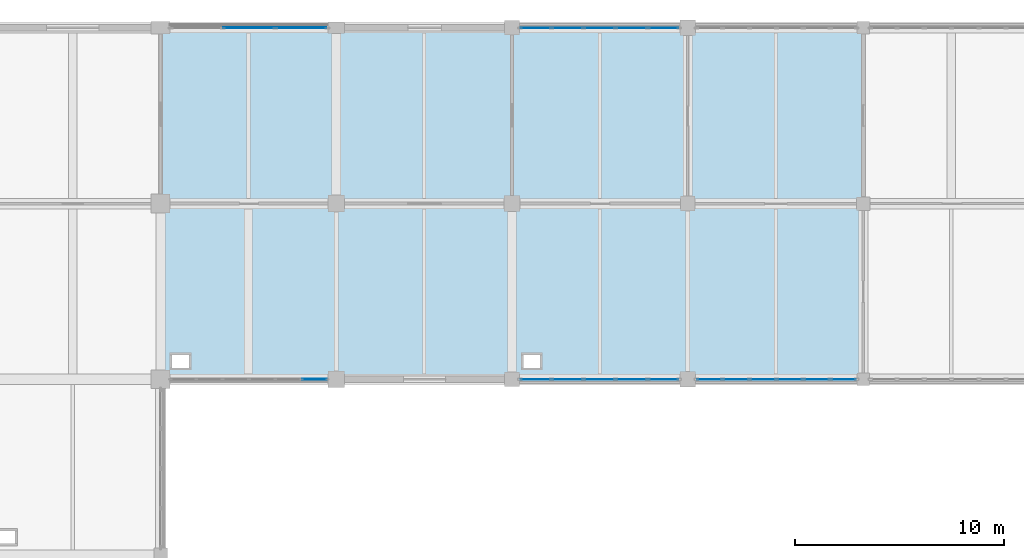
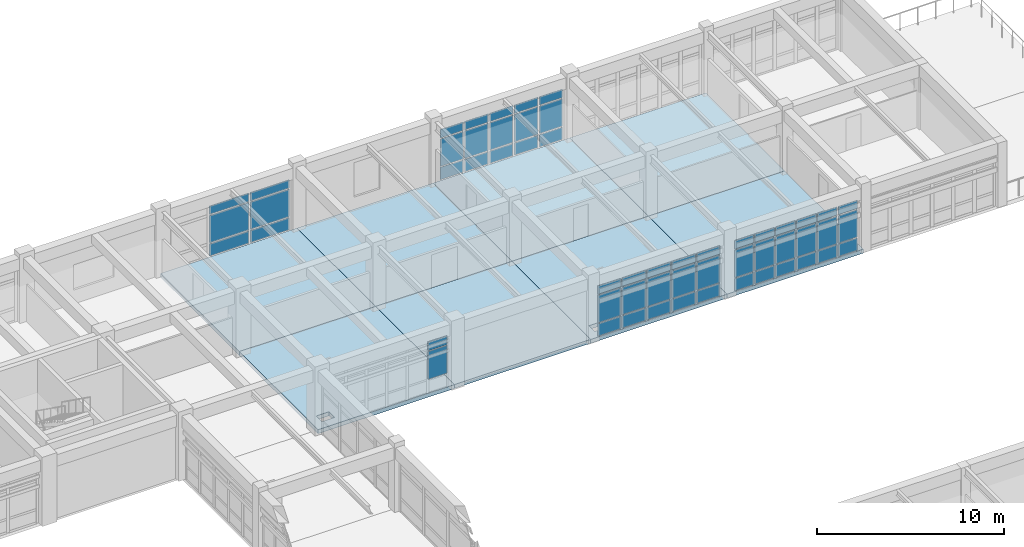
# One storey, part 76 of 99: 56 plates, 8 slabs, 5 elements without a shape of their own.
"""IFC4 building model written with IfcOpenShell, lengths in metres."""

from ifc_helpers import new_model, si_unit, direction, frame, origin, origin_2d, place, context, subcontext, project, spatial, polyline, rectangle, outline, extrude, material, layer, layer_set, type_object, element, aggregate, save


model = new_model("IFC4")

# Units and contexts
model_context = context("Model", 3, precision=1e-05, world=origin(), true_north=direction((0.0, 1.0)))
body_context = subcontext(model_context, "Body", "Model", "MODEL_VIEW")
ifc_project = project(units=[si_unit("LENGTHUNIT", "METRE"), si_unit("AREAUNIT", "SQUARE_METRE"), si_unit("VOLUMEUNIT", "CUBIC_METRE"), si_unit("PLANEANGLEUNIT", "RADIAN"), si_unit("MASSUNIT", "GRAM", prefix="KILO")], contexts=[model_context])

# Site, building, storey
site_placement = place(None, origin())
site = spatial("IfcSite", under=ifc_project, at=site_placement, CompositionType="ELEMENT")
building_placement = place(site_placement, origin())
building = spatial("IfcBuilding", under=site, at=building_placement, Name="Porcellanite Civic Hall", CompositionType="ELEMENT")
storey_placement = place(building_placement, frame((0.0, 0.0, 5.760009765625)))
storey = spatial("IfcBuildingStorey", under=building, at=storey_placement, Name="L01", CompositionType="ELEMENT", Elevation=5.760009765625)

# Curtain wall, plates
ifc_material_1 = material(Name="Anodised aluminium and solar laminated glass", Category="aluminium")
ifc_layer_1 = layer(ifc_material_1, 0.179931640625)
ifc_layer_set_1 = layer_set([ifc_layer_1], Name="Anodised aluminium and solar laminated glass")
curtain_wall_type_1 = type_object("IfcCurtainWallType", Name="CW-SYS02", PredefinedType="NOTDEFINED", material=ifc_layer_set_1)
curtain_wall_1_placement = place(storey_placement, origin())
curtain_wall_1 = element("IfcCurtainWall", 1, at=curtain_wall_1_placement, inside=storey, type_object=curtain_wall_type_1, Name="Curtain wall CW-121", PredefinedType="NOTDEFINED")
ifc_material_2 = material(Name="Cyclone laminated solar-control low-E glass", Category="glass")
ifc_layer_2 = layer(ifc_material_2, 0.02587890625)
ifc_layer_set_2 = layer_set([ifc_layer_2], Name="Cyclone laminated solar-control low-E glass")
plate_type_1 = type_object("IfcPlateType", Name="CWP-02", PredefinedType="CURTAIN_PANEL", material=ifc_layer_set_2)
plate_1_placement = place(storey_placement, frame((150.037841796875, 100.800048828125, 0.06494140625), z_axis=(0.0, 0.0, 1.0), x_axis=(-1.0, 0.0, 0.0)))
plate_1 = element("IfcPlate", 2, at=plate_1_placement, type_object=plate_type_1, Name="CW-121 panel 1.1", PredefinedType="CURTAIN_PANEL", context=body_context, shape_type="SweptSolid", body=[
    extrude(rectangle(XDim=1.422119140625, YDim=0.02587890625, at=origin_2d()), origin(), (0.0, 0.0, 1.0), 0.802490234375),
])
plate_2_placement = place(storey_placement, frame((150.037841796875, 100.800048828125, 0.9326171875), z_axis=(0.0, 0.0, 1.0), x_axis=(-1.0, 0.0, 0.0)))
plate_2 = element("IfcPlate", 3, at=plate_2_placement, type_object=plate_type_1, Name="CW-121 panel 1.2", PredefinedType="CURTAIN_PANEL", context=body_context, shape_type="SweptSolid", body=[
    extrude(rectangle(XDim=1.422119140625, YDim=0.02587890625, at=origin_2d()), origin(), (0.0, 0.0, 1.0), 1.784912109375),
])
plate_3_placement = place(storey_placement, frame((150.037841796875, 100.800048828125, 2.78271484375), z_axis=(0.0, 0.0, 1.0), x_axis=(-1.0, 0.0, 0.0)))
plate_3 = element("IfcPlate", 4, at=plate_3_placement, type_object=plate_type_1, Name="CW-121 panel 1.3", PredefinedType="CURTAIN_PANEL", context=body_context, shape_type="SweptSolid", body=[
    extrude(rectangle(XDim=1.422119140625, YDim=0.02587890625, at=origin_2d()), origin(), (0.0, 0.0, 1.0), 0.552490234375),
])
plate_4_placement = place(storey_placement, frame((148.522216796875, 100.800048828125, 0.06494140625), z_axis=(0.0, 0.0, 1.0), x_axis=(-1.0, 0.0, 0.0)))
plate_4 = element("IfcPlate", 5, at=plate_4_placement, type_object=plate_type_1, Name="CW-121 panel 2.1", PredefinedType="CURTAIN_PANEL", context=body_context, shape_type="SweptSolid", body=[
    extrude(rectangle(XDim=1.459716796875, YDim=0.02587890625, at=origin_2d()), origin(), (0.0, 0.0, 1.0), 0.802490234375),
])
plate_5_placement = place(storey_placement, frame((148.522216796875, 100.800048828125, 0.9326171875), z_axis=(0.0, 0.0, 1.0), x_axis=(-1.0, 0.0, 0.0)))
plate_5 = element("IfcPlate", 6, at=plate_5_placement, type_object=plate_type_1, Name="CW-121 panel 2.2", PredefinedType="CURTAIN_PANEL", context=body_context, shape_type="SweptSolid", body=[
    extrude(rectangle(XDim=1.459716796875, YDim=0.02587890625, at=origin_2d()), origin(), (0.0, 0.0, 1.0), 1.784912109375),
])
plate_6_placement = place(storey_placement, frame((148.522216796875, 100.800048828125, 2.78271484375), z_axis=(0.0, 0.0, 1.0), x_axis=(-1.0, 0.0, 0.0)))
plate_6 = element("IfcPlate", 7, at=plate_6_placement, type_object=plate_type_1, Name="CW-121 panel 2.3", PredefinedType="CURTAIN_PANEL", context=body_context, shape_type="SweptSolid", body=[
    extrude(rectangle(XDim=1.459716796875, YDim=0.02587890625, at=origin_2d()), origin(), (0.0, 0.0, 1.0), 0.552490234375),
])
plate_7_placement = place(storey_placement, frame((146.987548828125, 100.800048828125, 0.06494140625), z_axis=(0.0, 0.0, 1.0), x_axis=(-1.0, 0.0, 0.0)))
plate_7 = element("IfcPlate", 8, at=plate_7_placement, type_object=plate_type_1, Name="CW-121 panel 3.1", PredefinedType="CURTAIN_PANEL", context=body_context, shape_type="SweptSolid", body=[
    extrude(rectangle(XDim=1.459716796875, YDim=0.02587890625, at=origin_2d()), origin(), (0.0, 0.0, 1.0), 0.802490234375),
])
plate_8_placement = place(storey_placement, frame((146.987548828125, 100.800048828125, 0.9326171875), z_axis=(0.0, 0.0, 1.0), x_axis=(-1.0, 0.0, 0.0)))
plate_8 = element("IfcPlate", 9, at=plate_8_placement, type_object=plate_type_1, Name="CW-121 panel 3.2", PredefinedType="CURTAIN_PANEL", context=body_context, shape_type="SweptSolid", body=[
    extrude(rectangle(XDim=1.459716796875, YDim=0.02587890625, at=origin_2d()), origin(), (0.0, 0.0, 1.0), 1.784912109375),
])
plate_9_placement = place(storey_placement, frame((146.987548828125, 100.800048828125, 2.78271484375), z_axis=(0.0, 0.0, 1.0), x_axis=(-1.0, 0.0, 0.0)))
plate_9 = element("IfcPlate", 10, at=plate_9_placement, type_object=plate_type_1, Name="CW-121 panel 3.3", PredefinedType="CURTAIN_PANEL", context=body_context, shape_type="SweptSolid", body=[
    extrude(rectangle(XDim=1.459716796875, YDim=0.02587890625, at=origin_2d()), origin(), (0.0, 0.0, 1.0), 0.552490234375),
])
plate_10_placement = place(storey_placement, frame((145.452880859375, 100.800048828125, 0.06494140625), z_axis=(0.0, 0.0, 1.0), x_axis=(-1.0, 0.0, 0.0)))
plate_10 = element("IfcPlate", 11, at=plate_10_placement, type_object=plate_type_1, Name="CW-121 panel 4.1", PredefinedType="CURTAIN_PANEL", context=body_context, shape_type="SweptSolid", body=[
    extrude(rectangle(XDim=1.459716796875, YDim=0.02587890625, at=origin_2d()), origin(), (0.0, 0.0, 1.0), 0.802490234375),
])
plate_11_placement = place(storey_placement, frame((145.452880859375, 100.800048828125, 0.9326171875), z_axis=(0.0, 0.0, 1.0), x_axis=(-1.0, 0.0, 0.0)))
plate_11 = element("IfcPlate", 12, at=plate_11_placement, type_object=plate_type_1, Name="CW-121 panel 4.2", PredefinedType="CURTAIN_PANEL", context=body_context, shape_type="SweptSolid", body=[
    extrude(rectangle(XDim=1.459716796875, YDim=0.02587890625, at=origin_2d()), origin(), (0.0, 0.0, 1.0), 1.784912109375),
])
plate_12_placement = place(storey_placement, frame((145.452880859375, 100.800048828125, 2.78271484375), z_axis=(0.0, 0.0, 1.0), x_axis=(-1.0, 0.0, 0.0)))
plate_12 = element("IfcPlate", 13, at=plate_12_placement, type_object=plate_type_1, Name="CW-121 panel 4.3", PredefinedType="CURTAIN_PANEL", context=body_context, shape_type="SweptSolid", body=[
    extrude(rectangle(XDim=1.459716796875, YDim=0.02587890625, at=origin_2d()), origin(), (0.0, 0.0, 1.0), 0.552490234375),
])
plate_13_placement = place(storey_placement, frame((143.93701171875, 100.800048828125, 0.06494140625), z_axis=(0.0, 0.0, 1.0), x_axis=(-1.0, 0.0, 0.0)))
plate_13 = element("IfcPlate", 14, at=plate_13_placement, type_object=plate_type_1, Name="CW-121 panel 5.1", PredefinedType="CURTAIN_PANEL", context=body_context, shape_type="SweptSolid", body=[
    extrude(rectangle(XDim=1.422119140625, YDim=0.02587890625, at=origin_2d()), origin(), (0.0, 0.0, 1.0), 0.802490234375),
])
plate_14_placement = place(storey_placement, frame((143.93701171875, 100.800048828125, 0.9326171875), z_axis=(0.0, 0.0, 1.0), x_axis=(-1.0, 0.0, 0.0)))
plate_14 = element("IfcPlate", 15, at=plate_14_placement, type_object=plate_type_1, Name="CW-121 panel 5.2", PredefinedType="CURTAIN_PANEL", context=body_context, shape_type="SweptSolid", body=[
    extrude(rectangle(XDim=1.422119140625, YDim=0.02587890625, at=origin_2d()), origin(), (0.0, 0.0, 1.0), 1.784912109375),
])
plate_15_placement = place(storey_placement, frame((143.93701171875, 100.800048828125, 2.78271484375), z_axis=(0.0, 0.0, 1.0), x_axis=(-1.0, 0.0, 0.0)))
plate_15 = element("IfcPlate", 16, at=plate_15_placement, type_object=plate_type_1, Name="CW-121 panel 5.3", PredefinedType="CURTAIN_PANEL", context=body_context, shape_type="SweptSolid", body=[
    extrude(rectangle(XDim=1.422119140625, YDim=0.02587890625, at=origin_2d()), origin(), (0.0, 0.0, 1.0), 0.552490234375),
])
aggregate(curtain_wall_1, [plate_1, plate_2, plate_3, plate_4, plate_5, plate_6, plate_7, plate_8, plate_9, plate_10, plate_11, plate_12, plate_13, plate_14, plate_15])

curtain_wall_2_placement = place(storey_placement, origin())
curtain_wall_2 = element("IfcCurtainWall", 17, at=curtain_wall_2_placement, inside=storey, type_object=curtain_wall_type_1, Name="Curtain wall CW-122", PredefinedType="NOTDEFINED")
plate_16_placement = place(storey_placement, frame((143.93701171875, 117.60009765625, 0.06494140625), z_axis=(0.0, 0.0, 1.0), x_axis=(1.0, 0.0, 0.0)))
plate_16 = element("IfcPlate", 18, at=plate_16_placement, type_object=plate_type_1, Name="CW-122 panel 1.1", PredefinedType="CURTAIN_PANEL", context=body_context, shape_type="SweptSolid", body=[
    extrude(rectangle(XDim=1.422119140625, YDim=0.02587890625, at=origin_2d()), origin(), (0.0, 0.0, 1.0), 0.802490234375),
])
plate_17_placement = place(storey_placement, frame((143.93701171875, 117.60009765625, 0.9326171875), z_axis=(0.0, 0.0, 1.0), x_axis=(1.0, 0.0, 0.0)))
plate_17 = element("IfcPlate", 19, at=plate_17_placement, type_object=plate_type_1, Name="CW-122 panel 1.2", PredefinedType="CURTAIN_PANEL", context=body_context, shape_type="SweptSolid", body=[
    extrude(rectangle(XDim=1.422119140625, YDim=0.02587890625, at=origin_2d()), origin(), (0.0, 0.0, 1.0), 1.784912109375),
])
plate_18_placement = place(storey_placement, frame((143.93701171875, 117.60009765625, 2.78271484375), z_axis=(0.0, 0.0, 1.0), x_axis=(1.0, 0.0, 0.0)))
plate_18 = element("IfcPlate", 20, at=plate_18_placement, type_object=plate_type_1, Name="CW-122 panel 1.3", PredefinedType="CURTAIN_PANEL", context=body_context, shape_type="SweptSolid", body=[
    extrude(rectangle(XDim=1.422119140625, YDim=0.02587890625, at=origin_2d()), origin(), (0.0, 0.0, 1.0), 0.552490234375),
])
plate_19_placement = place(storey_placement, frame((145.452880859375, 117.60009765625, 0.06494140625), z_axis=(0.0, 0.0, 1.0), x_axis=(1.0, 0.0, 0.0)))
plate_19 = element("IfcPlate", 21, at=plate_19_placement, type_object=plate_type_1, Name="CW-122 panel 2.1", PredefinedType="CURTAIN_PANEL", context=body_context, shape_type="SweptSolid", body=[
    extrude(rectangle(XDim=1.459716796875, YDim=0.02587890625, at=origin_2d()), origin(), (0.0, 0.0, 1.0), 0.802490234375),
])
plate_20_placement = place(storey_placement, frame((145.452880859375, 117.60009765625, 0.9326171875), z_axis=(0.0, 0.0, 1.0), x_axis=(1.0, 0.0, 0.0)))
plate_20 = element("IfcPlate", 22, at=plate_20_placement, type_object=plate_type_1, Name="CW-122 panel 2.2", PredefinedType="CURTAIN_PANEL", context=body_context, shape_type="SweptSolid", body=[
    extrude(rectangle(XDim=1.459716796875, YDim=0.02587890625, at=origin_2d()), origin(), (0.0, 0.0, 1.0), 1.784912109375),
])
plate_21_placement = place(storey_placement, frame((145.452880859375, 117.60009765625, 2.78271484375), z_axis=(0.0, 0.0, 1.0), x_axis=(1.0, 0.0, 0.0)))
plate_21 = element("IfcPlate", 23, at=plate_21_placement, type_object=plate_type_1, Name="CW-122 panel 2.3", PredefinedType="CURTAIN_PANEL", context=body_context, shape_type="SweptSolid", body=[
    extrude(rectangle(XDim=1.459716796875, YDim=0.02587890625, at=origin_2d()), origin(), (0.0, 0.0, 1.0), 0.552490234375),
])
plate_22_placement = place(storey_placement, frame((146.987548828125, 117.60009765625, 0.06494140625), z_axis=(0.0, 0.0, 1.0), x_axis=(1.0, 0.0, 0.0)))
plate_22 = element("IfcPlate", 24, at=plate_22_placement, type_object=plate_type_1, Name="CW-122 panel 3.1", PredefinedType="CURTAIN_PANEL", context=body_context, shape_type="SweptSolid", body=[
    extrude(rectangle(XDim=1.459716796875, YDim=0.02587890625, at=origin_2d()), origin(), (0.0, 0.0, 1.0), 0.802490234375),
])
plate_23_placement = place(storey_placement, frame((146.987548828125, 117.60009765625, 0.9326171875), z_axis=(0.0, 0.0, 1.0), x_axis=(1.0, 0.0, 0.0)))
plate_23 = element("IfcPlate", 25, at=plate_23_placement, type_object=plate_type_1, Name="CW-122 panel 3.2", PredefinedType="CURTAIN_PANEL", context=body_context, shape_type="SweptSolid", body=[
    extrude(rectangle(XDim=1.459716796875, YDim=0.02587890625, at=origin_2d()), origin(), (0.0, 0.0, 1.0), 1.784912109375),
])
plate_24_placement = place(storey_placement, frame((146.987548828125, 117.60009765625, 2.78271484375), z_axis=(0.0, 0.0, 1.0), x_axis=(1.0, 0.0, 0.0)))
plate_24 = element("IfcPlate", 26, at=plate_24_placement, type_object=plate_type_1, Name="CW-122 panel 3.3", PredefinedType="CURTAIN_PANEL", context=body_context, shape_type="SweptSolid", body=[
    extrude(rectangle(XDim=1.459716796875, YDim=0.02587890625, at=origin_2d()), origin(), (0.0, 0.0, 1.0), 0.552490234375),
])
plate_25_placement = place(storey_placement, frame((148.522216796875, 117.60009765625, 0.06494140625), z_axis=(0.0, 0.0, 1.0), x_axis=(1.0, 0.0, 0.0)))
plate_25 = element("IfcPlate", 27, at=plate_25_placement, type_object=plate_type_1, Name="CW-122 panel 4.1", PredefinedType="CURTAIN_PANEL", context=body_context, shape_type="SweptSolid", body=[
    extrude(rectangle(XDim=1.459716796875, YDim=0.02587890625, at=origin_2d()), origin(), (0.0, 0.0, 1.0), 0.802490234375),
])
plate_26_placement = place(storey_placement, frame((148.522216796875, 117.60009765625, 0.9326171875), z_axis=(0.0, 0.0, 1.0), x_axis=(1.0, 0.0, 0.0)))
plate_26 = element("IfcPlate", 28, at=plate_26_placement, type_object=plate_type_1, Name="CW-122 panel 4.2", PredefinedType="CURTAIN_PANEL", context=body_context, shape_type="SweptSolid", body=[
    extrude(rectangle(XDim=1.459716796875, YDim=0.02587890625, at=origin_2d()), origin(), (0.0, 0.0, 1.0), 1.784912109375),
])
plate_27_placement = place(storey_placement, frame((148.522216796875, 117.60009765625, 2.78271484375), z_axis=(0.0, 0.0, 1.0), x_axis=(1.0, 0.0, 0.0)))
plate_27 = element("IfcPlate", 29, at=plate_27_placement, type_object=plate_type_1, Name="CW-122 panel 4.3", PredefinedType="CURTAIN_PANEL", context=body_context, shape_type="SweptSolid", body=[
    extrude(rectangle(XDim=1.459716796875, YDim=0.02587890625, at=origin_2d()), origin(), (0.0, 0.0, 1.0), 0.552490234375),
])
plate_28_placement = place(storey_placement, frame((150.037841796875, 117.60009765625, 0.06494140625), z_axis=(0.0, 0.0, 1.0), x_axis=(1.0, 0.0, 0.0)))
plate_28 = element("IfcPlate", 30, at=plate_28_placement, type_object=plate_type_1, Name="CW-122 panel 5.1", PredefinedType="CURTAIN_PANEL", context=body_context, shape_type="SweptSolid", body=[
    extrude(rectangle(XDim=1.422119140625, YDim=0.02587890625, at=origin_2d()), origin(), (0.0, 0.0, 1.0), 0.802490234375),
])
plate_29_placement = place(storey_placement, frame((150.037841796875, 117.60009765625, 0.9326171875), z_axis=(0.0, 0.0, 1.0), x_axis=(1.0, 0.0, 0.0)))
plate_29 = element("IfcPlate", 31, at=plate_29_placement, type_object=plate_type_1, Name="CW-122 panel 5.2", PredefinedType="CURTAIN_PANEL", context=body_context, shape_type="SweptSolid", body=[
    extrude(rectangle(XDim=1.422119140625, YDim=0.02587890625, at=origin_2d()), origin(), (0.0, 0.0, 1.0), 1.784912109375),
])
plate_30_placement = place(storey_placement, frame((150.037841796875, 117.60009765625, 2.78271484375), z_axis=(0.0, 0.0, 1.0), x_axis=(1.0, 0.0, 0.0)))
plate_30 = element("IfcPlate", 32, at=plate_30_placement, type_object=plate_type_1, Name="CW-122 panel 5.3", PredefinedType="CURTAIN_PANEL", context=body_context, shape_type="SweptSolid", body=[
    extrude(rectangle(XDim=1.422119140625, YDim=0.02587890625, at=origin_2d()), origin(), (0.0, 0.0, 1.0), 0.552490234375),
])
aggregate(curtain_wall_2, [plate_16, plate_17, plate_18, plate_19, plate_20, plate_21, plate_22, plate_23, plate_24, plate_25, plate_26, plate_27, plate_28, plate_29, plate_30])

curtain_wall_3_placement = place(storey_placement, origin())
curtain_wall_3 = element("IfcCurtainWall", 33, at=curtain_wall_3_placement, inside=storey, type_object=curtain_wall_type_1, Name="Curtain wall CW-124", PredefinedType="NOTDEFINED")
plate_31_placement = place(storey_placement, frame((158.63671875, 100.800048828125, 0.06494140625), z_axis=(0.0, 0.0, 1.0), x_axis=(-1.0, 0.0, 0.0)))
plate_31 = element("IfcPlate", 34, at=plate_31_placement, type_object=plate_type_1, Name="CW-124 panel 1.1", PredefinedType="CURTAIN_PANEL", context=body_context, shape_type="SweptSolid", body=[
    extrude(rectangle(XDim=1.174560546875, YDim=0.02587890625, at=origin_2d()), origin(), (0.0, 0.0, 1.0), 0.802490234375),
])
plate_32_placement = place(storey_placement, frame((158.63671875, 100.800048828125, 0.9326171875), z_axis=(0.0, 0.0, 1.0), x_axis=(-1.0, 0.0, 0.0)))
plate_32 = element("IfcPlate", 35, at=plate_32_placement, type_object=plate_type_1, Name="CW-124 panel 1.2", PredefinedType="CURTAIN_PANEL", context=body_context, shape_type="SweptSolid", body=[
    extrude(rectangle(XDim=1.174560546875, YDim=0.02587890625, at=origin_2d()), origin(), (0.0, 0.0, 1.0), 1.784912109375),
])
plate_33_placement = place(storey_placement, frame((158.63671875, 100.800048828125, 2.78271484375), z_axis=(0.0, 0.0, 1.0), x_axis=(-1.0, 0.0, 0.0)))
plate_33 = element("IfcPlate", 36, at=plate_33_placement, type_object=plate_type_1, Name="CW-124 panel 1.3", PredefinedType="CURTAIN_PANEL", context=body_context, shape_type="SweptSolid", body=[
    extrude(rectangle(XDim=1.174560546875, YDim=0.02587890625, at=origin_2d()), origin(), (0.0, 0.0, 1.0), 0.552490234375),
])
plate_34_placement = place(storey_placement, frame((157.3681640625, 100.800048828125, 0.06494140625), z_axis=(0.0, 0.0, 1.0), x_axis=(-1.0, 0.0, 0.0)))
plate_34 = element("IfcPlate", 37, at=plate_34_placement, type_object=plate_type_1, Name="CW-124 panel 2.1", PredefinedType="CURTAIN_PANEL", context=body_context, shape_type="SweptSolid", body=[
    extrude(rectangle(XDim=1.212158203125, YDim=0.02587890625, at=origin_2d()), origin(), (0.0, 0.0, 1.0), 0.802490234375),
])
plate_35_placement = place(storey_placement, frame((157.3681640625, 100.800048828125, 0.9326171875), z_axis=(0.0, 0.0, 1.0), x_axis=(-1.0, 0.0, 0.0)))
plate_35 = element("IfcPlate", 38, at=plate_35_placement, type_object=plate_type_1, Name="CW-124 panel 2.2", PredefinedType="CURTAIN_PANEL", context=body_context, shape_type="SweptSolid", body=[
    extrude(rectangle(XDim=1.212158203125, YDim=0.02587890625, at=origin_2d()), origin(), (0.0, 0.0, 1.0), 1.784912109375),
])
plate_36_placement = place(storey_placement, frame((157.3681640625, 100.800048828125, 2.78271484375), z_axis=(0.0, 0.0, 1.0), x_axis=(-1.0, 0.0, 0.0)))
plate_36 = element("IfcPlate", 39, at=plate_36_placement, type_object=plate_type_1, Name="CW-124 panel 2.3", PredefinedType="CURTAIN_PANEL", context=body_context, shape_type="SweptSolid", body=[
    extrude(rectangle(XDim=1.212158203125, YDim=0.02587890625, at=origin_2d()), origin(), (0.0, 0.0, 1.0), 0.552490234375),
])
plate_37_placement = place(storey_placement, frame((156.0810546875, 100.800048828125, 0.06494140625), z_axis=(0.0, 0.0, 1.0), x_axis=(-1.0, 0.0, 0.0)))
plate_37 = element("IfcPlate", 40, at=plate_37_placement, type_object=plate_type_1, Name="CW-124 panel 3.1", PredefinedType="CURTAIN_PANEL", context=body_context, shape_type="SweptSolid", body=[
    extrude(rectangle(XDim=1.212158203125, YDim=0.02587890625, at=origin_2d()), origin(), (0.0, 0.0, 1.0), 0.802490234375),
])
plate_38_placement = place(storey_placement, frame((156.0810546875, 100.800048828125, 0.9326171875), z_axis=(0.0, 0.0, 1.0), x_axis=(-1.0, 0.0, 0.0)))
plate_38 = element("IfcPlate", 41, at=plate_38_placement, type_object=plate_type_1, Name="CW-124 panel 3.2", PredefinedType="CURTAIN_PANEL", context=body_context, shape_type="SweptSolid", body=[
    extrude(rectangle(XDim=1.212158203125, YDim=0.02587890625, at=origin_2d()), origin(), (0.0, 0.0, 1.0), 1.784912109375),
])
plate_39_placement = place(storey_placement, frame((156.0810546875, 100.800048828125, 2.78271484375), z_axis=(0.0, 0.0, 1.0), x_axis=(-1.0, 0.0, 0.0)))
plate_39 = element("IfcPlate", 42, at=plate_39_placement, type_object=plate_type_1, Name="CW-124 panel 3.3", PredefinedType="CURTAIN_PANEL", context=body_context, shape_type="SweptSolid", body=[
    extrude(rectangle(XDim=1.212158203125, YDim=0.02587890625, at=origin_2d()), origin(), (0.0, 0.0, 1.0), 0.552490234375),
])
plate_40_placement = place(storey_placement, frame((154.7939453125, 100.800048828125, 0.06494140625), z_axis=(0.0, 0.0, 1.0), x_axis=(-1.0, 0.0, 0.0)))
plate_40 = element("IfcPlate", 43, at=plate_40_placement, type_object=plate_type_1, Name="CW-124 panel 4.1", PredefinedType="CURTAIN_PANEL", context=body_context, shape_type="SweptSolid", body=[
    extrude(rectangle(XDim=1.212158203125, YDim=0.02587890625, at=origin_2d()), origin(), (0.0, 0.0, 1.0), 0.802490234375),
])
plate_41_placement = place(storey_placement, frame((154.7939453125, 100.800048828125, 0.9326171875), z_axis=(0.0, 0.0, 1.0), x_axis=(-1.0, 0.0, 0.0)))
plate_41 = element("IfcPlate", 44, at=plate_41_placement, type_object=plate_type_1, Name="CW-124 panel 4.2", PredefinedType="CURTAIN_PANEL", context=body_context, shape_type="SweptSolid", body=[
    extrude(rectangle(XDim=1.212158203125, YDim=0.02587890625, at=origin_2d()), origin(), (0.0, 0.0, 1.0), 1.784912109375),
])
plate_42_placement = place(storey_placement, frame((154.7939453125, 100.800048828125, 2.78271484375), z_axis=(0.0, 0.0, 1.0), x_axis=(-1.0, 0.0, 0.0)))
plate_42 = element("IfcPlate", 45, at=plate_42_placement, type_object=plate_type_1, Name="CW-124 panel 4.3", PredefinedType="CURTAIN_PANEL", context=body_context, shape_type="SweptSolid", body=[
    extrude(rectangle(XDim=1.212158203125, YDim=0.02587890625, at=origin_2d()), origin(), (0.0, 0.0, 1.0), 0.552490234375),
])
plate_43_placement = place(storey_placement, frame((153.5068359375, 100.800048828125, 0.06494140625), z_axis=(0.0, 0.0, 1.0), x_axis=(-1.0, 0.0, 0.0)))
plate_43 = element("IfcPlate", 46, at=plate_43_placement, type_object=plate_type_1, Name="CW-124 panel 5.1", PredefinedType="CURTAIN_PANEL", context=body_context, shape_type="SweptSolid", body=[
    extrude(rectangle(XDim=1.212158203125, YDim=0.02587890625, at=origin_2d()), origin(), (0.0, 0.0, 1.0), 0.802490234375),
])
plate_44_placement = place(storey_placement, frame((153.5068359375, 100.800048828125, 0.9326171875), z_axis=(0.0, 0.0, 1.0), x_axis=(-1.0, 0.0, 0.0)))
plate_44 = element("IfcPlate", 47, at=plate_44_placement, type_object=plate_type_1, Name="CW-124 panel 5.2", PredefinedType="CURTAIN_PANEL", context=body_context, shape_type="SweptSolid", body=[
    extrude(rectangle(XDim=1.212158203125, YDim=0.02587890625, at=origin_2d()), origin(), (0.0, 0.0, 1.0), 1.784912109375),
])
plate_45_placement = place(storey_placement, frame((153.5068359375, 100.800048828125, 2.78271484375), z_axis=(0.0, 0.0, 1.0), x_axis=(-1.0, 0.0, 0.0)))
plate_45 = element("IfcPlate", 48, at=plate_45_placement, type_object=plate_type_1, Name="CW-124 panel 5.3", PredefinedType="CURTAIN_PANEL", context=body_context, shape_type="SweptSolid", body=[
    extrude(rectangle(XDim=1.212158203125, YDim=0.02587890625, at=origin_2d()), origin(), (0.0, 0.0, 1.0), 0.552490234375),
])
plate_46_placement = place(storey_placement, frame((152.23828125, 100.800048828125, 0.06494140625), z_axis=(0.0, 0.0, 1.0), x_axis=(-1.0, 0.0, 0.0)))
plate_46 = element("IfcPlate", 49, at=plate_46_placement, type_object=plate_type_1, Name="CW-124 panel 6.1", PredefinedType="CURTAIN_PANEL", context=body_context, shape_type="SweptSolid", body=[
    extrude(rectangle(XDim=1.174560546875, YDim=0.02587890625, at=origin_2d()), origin(), (0.0, 0.0, 1.0), 0.802490234375),
])
plate_47_placement = place(storey_placement, frame((152.23828125, 100.800048828125, 0.9326171875), z_axis=(0.0, 0.0, 1.0), x_axis=(-1.0, 0.0, 0.0)))
plate_47 = element("IfcPlate", 50, at=plate_47_placement, type_object=plate_type_1, Name="CW-124 panel 6.2", PredefinedType="CURTAIN_PANEL", context=body_context, shape_type="SweptSolid", body=[
    extrude(rectangle(XDim=1.174560546875, YDim=0.02587890625, at=origin_2d()), origin(), (0.0, 0.0, 1.0), 1.784912109375),
])
plate_48_placement = place(storey_placement, frame((152.23828125, 100.800048828125, 2.78271484375), z_axis=(0.0, 0.0, 1.0), x_axis=(-1.0, 0.0, 0.0)))
plate_48 = element("IfcPlate", 51, at=plate_48_placement, type_object=plate_type_1, Name="CW-124 panel 6.3", PredefinedType="CURTAIN_PANEL", context=body_context, shape_type="SweptSolid", body=[
    extrude(rectangle(XDim=1.174560546875, YDim=0.02587890625, at=origin_2d()), origin(), (0.0, 0.0, 1.0), 0.552490234375),
])
aggregate(curtain_wall_3, [plate_31, plate_32, plate_33, plate_34, plate_35, plate_36, plate_37, plate_38, plate_39, plate_40, plate_41, plate_42, plate_43, plate_44, plate_45, plate_46, plate_47, plate_48])

ifc_material_3 = material(Name="Anodised aluminium and solar laminated glass", Category="aluminium")
ifc_layer_3 = layer(ifc_material_3, 0.179931640625)
ifc_layer_set_3 = layer_set([ifc_layer_3], Name="Anodised aluminium and solar laminated glass")
curtain_wall_type_2 = type_object("IfcCurtainWallType", Name="CW-SYS07", PredefinedType="NOTDEFINED", material=ifc_layer_set_3)
curtain_wall_4_placement = place(storey_placement, origin())
curtain_wall_4 = element("IfcCurtainWall", 52, at=curtain_wall_4_placement, inside=storey, type_object=curtain_wall_type_2, Name="Curtain wall CW-117", PredefinedType="NOTDEFINED")
ifc_material_4 = material(Name="Insulated ochre aluminium spandrel panel", Category="aluminium")
ifc_layer_4 = layer(ifc_material_4, 0.0380859375)
ifc_layer_set_4 = layer_set([ifc_layer_4], Name="Insulated ochre aluminium spandrel panel")
plate_type_2 = type_object("IfcPlateType", Name="CWP-08", PredefinedType="CURTAIN_PANEL", material=ifc_layer_set_4)
plate_49_placement = place(storey_placement, frame((133.35498046875, 100.800048828125, 0.9248046875), z_axis=(0.0, 0.0, 1.0), x_axis=(-1.0, 0.0, 0.0)))
plate_49 = element("IfcPlate", 53, at=plate_49_placement, type_object=plate_type_2, Name="CW-117 panel 1.2", PredefinedType="CURTAIN_PANEL", context=body_context, shape_type="SweptSolid", body=[
    extrude(rectangle(XDim=1.16796875, YDim=0.0380859375, at=origin_2d()), origin(), (0.0, 0.0, 1.0), 1.800048828125),
])
plate_50_placement = place(storey_placement, frame((133.35498046875, 100.800048828125, 2.77490234375), z_axis=(0.0, 0.0, 1.0), x_axis=(-1.0, 0.0, 0.0)))
plate_50 = element("IfcPlate", 54, at=plate_50_placement, type_object=plate_type_2, Name="CW-117 panel 1.3", PredefinedType="CURTAIN_PANEL", context=body_context, shape_type="SweptSolid", body=[
    extrude(rectangle(XDim=1.16796875, YDim=0.0380859375, at=origin_2d()), origin(), (0.0, 0.0, 1.0), 0.574951171875),
])
aggregate(curtain_wall_4, [plate_49, plate_50])

ifc_material_5 = material(Name="Anodised aluminium and solar laminated glass", Category="aluminium")
ifc_layer_5 = layer(ifc_material_5, 0.179931640625)
ifc_layer_set_5 = layer_set([ifc_layer_5], Name="Anodised aluminium and solar laminated glass")
curtain_wall_type_3 = type_object("IfcCurtainWallType", Name="CW-SYS08", PredefinedType="NOTDEFINED", material=ifc_layer_set_5)
curtain_wall_5_placement = place(storey_placement, origin())
curtain_wall_5 = element("IfcCurtainWall", 55, at=curtain_wall_5_placement, inside=storey, type_object=curtain_wall_type_3, Name="Curtain wall CW-118", PredefinedType="NOTDEFINED")
ifc_material_6 = material(Name="Insulated ochre aluminium spandrel panel", Category="aluminium")
ifc_layer_6 = layer(ifc_material_6, 0.0419921875)
ifc_layer_set_6 = layer_set([ifc_layer_6], Name="Insulated ochre aluminium spandrel panel")
plate_type_3 = type_object("IfcPlateType", Name="CWP-09", PredefinedType="CURTAIN_PANEL", material=ifc_layer_set_6)
plate_51_placement = place(storey_placement, frame((130.22509765625, 117.60009765625, 0.070068359375), z_axis=(0.0, 0.0, 1.0), x_axis=(1.0, 0.0, 0.0)))
plate_51 = element("IfcPlate", 56, at=plate_51_placement, type_object=plate_type_3, Name="CW-118 panel 2.1", PredefinedType="CURTAIN_PANEL", context=body_context, shape_type="SweptSolid", body=[
    extrude(rectangle(XDim=2.43603515625, YDim=0.0419921875, at=origin_2d()), origin(), (0.0, 0.0, 1.0), 0.794921875),
])
plate_52_placement = place(storey_placement, frame((130.22509765625, 117.60009765625, 0.93505859375), z_axis=(0.0, 0.0, 1.0), x_axis=(1.0, 0.0, 0.0)))
plate_52 = element("IfcPlate", 57, at=plate_52_placement, type_object=plate_type_3, Name="CW-118 panel 2.2", PredefinedType="CURTAIN_PANEL", context=body_context, shape_type="SweptSolid", body=[
    extrude(rectangle(XDim=2.43603515625, YDim=0.0419921875, at=origin_2d()), origin(), (0.0, 0.0, 1.0), 1.780029296875),
])
plate_53_placement = place(storey_placement, frame((130.22509765625, 117.60009765625, 2.784912109375), z_axis=(0.0, 0.0, 1.0), x_axis=(1.0, 0.0, 0.0)))
plate_53 = element("IfcPlate", 58, at=plate_53_placement, type_object=plate_type_3, Name="CW-118 panel 2.3", PredefinedType="CURTAIN_PANEL", context=body_context, shape_type="SweptSolid", body=[
    extrude(rectangle(XDim=2.43603515625, YDim=0.0419921875, at=origin_2d()), origin(), (0.0, 0.0, 1.0), 0.544921875),
])
plate_54_placement = place(storey_placement, frame((132.720947265625, 117.60009765625, 0.070068359375), z_axis=(0.0, 0.0, 1.0), x_axis=(1.0, 0.0, 0.0)))
plate_54 = element("IfcPlate", 59, at=plate_54_placement, type_object=plate_type_3, Name="CW-118 panel 3.1", PredefinedType="CURTAIN_PANEL", context=body_context, shape_type="SweptSolid", body=[
    extrude(rectangle(XDim=2.39599609375, YDim=0.0419921875, at=origin_2d()), origin(), (0.0, 0.0, 1.0), 0.794921875),
])
plate_55_placement = place(storey_placement, frame((132.720947265625, 117.60009765625, 0.93505859375), z_axis=(0.0, 0.0, 1.0), x_axis=(1.0, 0.0, 0.0)))
plate_55 = element("IfcPlate", 60, at=plate_55_placement, type_object=plate_type_3, Name="CW-118 panel 3.2", PredefinedType="CURTAIN_PANEL", context=body_context, shape_type="SweptSolid", body=[
    extrude(rectangle(XDim=2.39599609375, YDim=0.0419921875, at=origin_2d()), origin(), (0.0, 0.0, 1.0), 1.780029296875),
])
plate_56_placement = place(storey_placement, frame((132.720947265625, 117.60009765625, 2.784912109375), z_axis=(0.0, 0.0, 1.0), x_axis=(1.0, 0.0, 0.0)))
plate_56 = element("IfcPlate", 61, at=plate_56_placement, type_object=plate_type_3, Name="CW-118 panel 3.3", PredefinedType="CURTAIN_PANEL", context=body_context, shape_type="SweptSolid", body=[
    extrude(rectangle(XDim=2.39599609375, YDim=0.0419921875, at=origin_2d()), origin(), (0.0, 0.0, 1.0), 0.544921875),
])
aggregate(curtain_wall_5, [plate_51, plate_52, plate_53, plate_54, plate_55, plate_56])

# Slabs
ifc_material_7 = material(Name="Concrete N40 (40 MPa)", Category="concrete")
ifc_layer_7 = layer(ifc_material_7, 0.25)
ifc_layer_set_7 = layer_set([ifc_layer_7], Name="Concrete N40 (40 MPa)")
slab_type_1 = type_object("IfcSlabType", Name="SL-FL250", PredefinedType="FLOOR", material=ifc_layer_set_7)
slab_1_placement = place(storey_placement, frame((0.0, 0.0, -0.25)))
element("IfcSlab", 62, at=slab_1_placement, inside=storey, type_object=slab_type_1, Name="Slab L01 bay 16-14", PredefinedType="FLOOR", context=body_context, shape_type="SweptSolid", body=[
    extrude(outline(polyline([(126.0, 109.199951171875), (134.39990234375, 109.199951171875), (134.39990234375, 117.60009765625), (126.0, 117.60009765625), (126.0, 109.199951171875)])), origin(), (0.0, 0.0, 1.0), 0.25),
])
slab_2_placement = place(storey_placement, frame((0.0, 0.0, -0.25)))
element("IfcSlab", 63, at=slab_2_placement, inside=storey, type_object=slab_type_1, Name="Slab L01 bay 17-13", PredefinedType="FLOOR", context=body_context, shape_type="SweptSolid", body=[
    extrude(outline(polyline([(134.39990234375, 100.800048828125), (142.800048828125, 100.800048828125), (142.800048828125, 109.199951171875), (134.39990234375, 109.199951171875), (134.39990234375, 100.800048828125)])), origin(), (0.0, 0.0, 1.0), 0.25),
])
slab_3_placement = place(storey_placement, frame((0.0, 0.0, -0.25)))
element("IfcSlab", 64, at=slab_3_placement, inside=storey, type_object=slab_type_1, Name="Slab L01 bay 17-14", PredefinedType="FLOOR", context=body_context, shape_type="SweptSolid", body=[
    extrude(outline(polyline([(134.39990234375, 109.199951171875), (142.800048828125, 109.199951171875), (142.800048828125, 117.60009765625), (134.39990234375, 117.60009765625), (134.39990234375, 109.199951171875)])), origin(), (0.0, 0.0, 1.0), 0.25),
])
slab_4_placement = place(storey_placement, frame((0.0, 0.0, -0.25)))
element("IfcSlab", 65, at=slab_4_placement, inside=storey, type_object=slab_type_1, Name="Slab L01 bay 18-13", PredefinedType="FLOOR", context=body_context, shape_type="SweptSolid", body=[
    extrude(outline(polyline([(142.800048828125, 100.800048828125), (151.199951171875, 100.800048828125), (151.199951171875, 109.199951171875), (142.800048828125, 109.199951171875), (142.800048828125, 100.800048828125)]), holes=[polyline([(143.35009765625, 101.35009765625), (144.14990234375, 101.35009765625), (144.14990234375, 101.949951171875), (143.35009765625, 101.949951171875), (143.35009765625, 101.35009765625)])]), origin(), (0.0, 0.0, 1.0), 0.25),
])
slab_5_placement = place(storey_placement, frame((0.0, 0.0, -0.25)))
element("IfcSlab", 66, at=slab_5_placement, inside=storey, type_object=slab_type_1, Name="Slab L01 bay 19-14", PredefinedType="FLOOR", context=body_context, shape_type="SweptSolid", body=[
    extrude(outline(polyline([(151.199951171875, 109.199951171875), (159.60009765625, 109.199951171875), (159.60009765625, 117.60009765625), (151.199951171875, 117.60009765625), (151.199951171875, 109.199951171875)])), origin(), (0.0, 0.0, 1.0), 0.25),
])
ifc_material_8 = material(Name="Concrete N40 (40 MPa)", Category="concrete")
ifc_layer_8 = layer(ifc_material_8, 0.260009765625)
ifc_layer_set_8 = layer_set([ifc_layer_8], Name="Concrete N40 (40 MPa)")
slab_type_2 = type_object("IfcSlabType", Name="SL-FL260", PredefinedType="FLOOR", material=ifc_layer_set_8)
slab_6_placement = place(storey_placement, frame((0.0, 0.0, -0.260009765625)))
element("IfcSlab", 67, at=slab_6_placement, inside=storey, type_object=slab_type_2, Name="Slab L01 bay 16-13", PredefinedType="FLOOR", context=body_context, shape_type="SweptSolid", body=[
    extrude(outline(polyline([(126.0, 100.800048828125), (134.39990234375, 100.800048828125), (134.39990234375, 109.199951171875), (126.0, 109.199951171875), (126.0, 100.800048828125)]), holes=[polyline([(126.550048828125, 101.35009765625), (127.35009765625, 101.35009765625), (127.35009765625, 101.949951171875), (126.550048828125, 101.949951171875), (126.550048828125, 101.35009765625)])]), origin(), (0.0, 0.0, 1.0), 0.260009765625),
])
slab_7_placement = place(storey_placement, frame((0.0, 0.0, -0.260009765625)))
element("IfcSlab", 68, at=slab_7_placement, inside=storey, type_object=slab_type_2, Name="Slab L01 bay 18-14", PredefinedType="FLOOR", context=body_context, shape_type="SweptSolid", body=[
    extrude(outline(polyline([(142.800048828125, 109.199951171875), (151.199951171875, 109.199951171875), (151.199951171875, 117.60009765625), (142.800048828125, 117.60009765625), (142.800048828125, 109.199951171875)])), origin(), (0.0, 0.0, 1.0), 0.260009765625),
])
slab_8_placement = place(storey_placement, frame((0.0, 0.0, -0.260009765625)))
element("IfcSlab", 69, at=slab_8_placement, inside=storey, type_object=slab_type_2, Name="Slab L01 bay 19-13", PredefinedType="FLOOR", context=body_context, shape_type="SweptSolid", body=[
    extrude(outline(polyline([(151.199951171875, 100.800048828125), (159.60009765625, 100.800048828125), (159.60009765625, 109.199951171875), (151.199951171875, 109.199951171875), (151.199951171875, 100.800048828125)])), origin(), (0.0, 0.0, 1.0), 0.260009765625),
])

save(model, "model.ifc")
